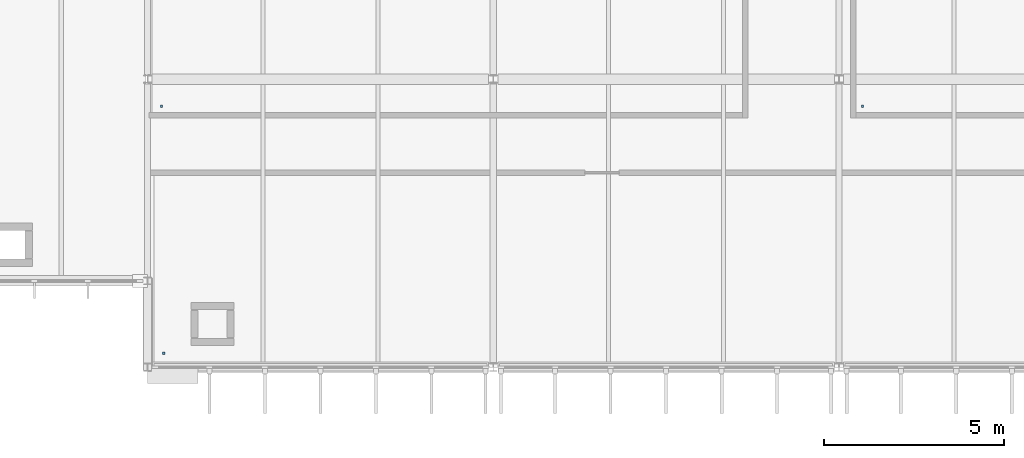
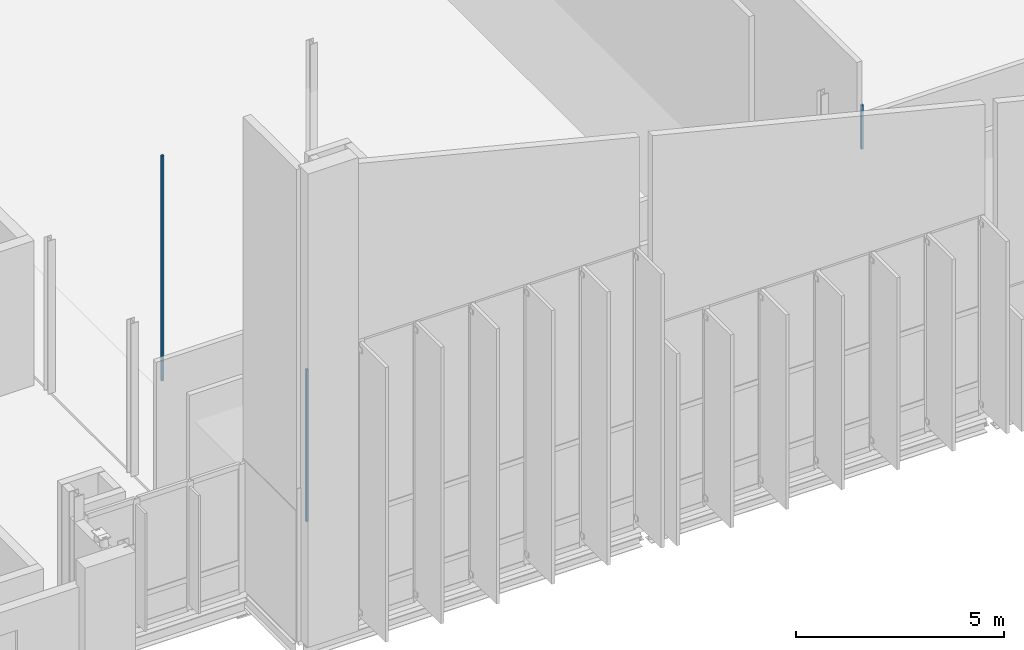
# One storey, part 87 of 110: 3 discrete accessories.
"""IFC4 building model written with IfcOpenShell, lengths in metres."""

from ifc_helpers import new_model, si_unit, direction, frame, origin, place, context, subcontext, project, spatial, polyline, outline, extrude, material, type_object, element, save


model = new_model("IFC4")

# Units and contexts
model_context = context("Model", 3, precision=1e-05, world=origin(), true_north=direction((0.0, 1.0)))
body_context = subcontext(model_context, "Body", "Model", "MODEL_VIEW")
ifc_project = project(units=[si_unit("LENGTHUNIT", "METRE"), si_unit("AREAUNIT", "SQUARE_METRE"), si_unit("VOLUMEUNIT", "CUBIC_METRE"), si_unit("PLANEANGLEUNIT", "RADIAN"), si_unit("MASSUNIT", "GRAM", prefix="KILO")], contexts=[model_context])

# Site, building, storey
site_placement = place(None, origin())
site = spatial("IfcSite", under=ifc_project, at=site_placement, CompositionType="ELEMENT")
building_placement = place(site_placement, origin())
building = spatial("IfcBuilding", under=site, at=building_placement, Name="Dunescarp Central Library", CompositionType="ELEMENT")
storey_placement = place(building_placement, frame((0.0, 0.0, 9.60009765625)))
storey = spatial("IfcBuildingStorey", under=building, at=storey_placement, Name="L02", CompositionType="ELEMENT", Elevation=9.60009765625)

# Discrete accessories
ifc_material = material(Name="Stainless steel Grade 316L", Category="steel")
discrete_accessory_type = type_object("IfcDiscreteAccessoryType", Name="ARC-ACC-BRK", PredefinedType="BRACKET", material=ifc_material)
discrete_accessory_1_placement = place(storey_placement, frame((0.0, 0.0, 3.059814453125)))
element("IfcDiscreteAccessory", 1, at=discrete_accessory_1_placement, inside=storey, type_object=discrete_accessory_type, Name="L02 ceiling hanger CLG-L02-152-H1", PredefinedType="BRACKET", context=body_context, shape_type="SweptSolid", body=[
    extrude(outline(polyline([(130.02001953125, 5.159912109375), (130.080078125, 5.159912109375), (130.080078125, 5.219970703125), (130.02001953125, 5.219970703125), (130.02001953125, 5.159912109375)])), origin(), (0.0, 0.0, 1.0), 4.47314453125),
])
discrete_accessory_2_placement = place(storey_placement, frame((0.0, 0.0, 3.059814453125)))
element("IfcDiscreteAccessory", 2, at=discrete_accessory_2_placement, inside=storey, type_object=discrete_accessory_type, Name="L02 ceiling hanger CLG-L02-153-H1", PredefinedType="BRACKET", context=body_context, shape_type="SweptSolid", body=[
    extrude(outline(polyline([(129.9599609375, 12.02001953125), (130.02001953125, 12.02001953125), (130.02001953125, 12.080078125), (129.9599609375, 12.080078125), (129.9599609375, 12.02001953125)])), origin(), (0.0, 0.0, 1.0), 6.623046875),
])
discrete_accessory_3_placement = place(storey_placement, frame((0.0, 0.0, 3.059814453125)))
element("IfcDiscreteAccessory", 3, at=discrete_accessory_3_placement, inside=storey, type_object=discrete_accessory_type, Name="L02 ceiling hanger CLG-L02-154-H1", PredefinedType="BRACKET", context=body_context, shape_type="SweptSolid", body=[
    extrude(outline(polyline([(149.419921875, 12.02001953125), (149.47998046875, 12.02001953125), (149.47998046875, 12.080078125), (149.419921875, 12.080078125), (149.419921875, 12.02001953125)])), origin(), (0.0, 0.0, 1.0), 1.296142578125),
])

save(model, "model.ifc")
